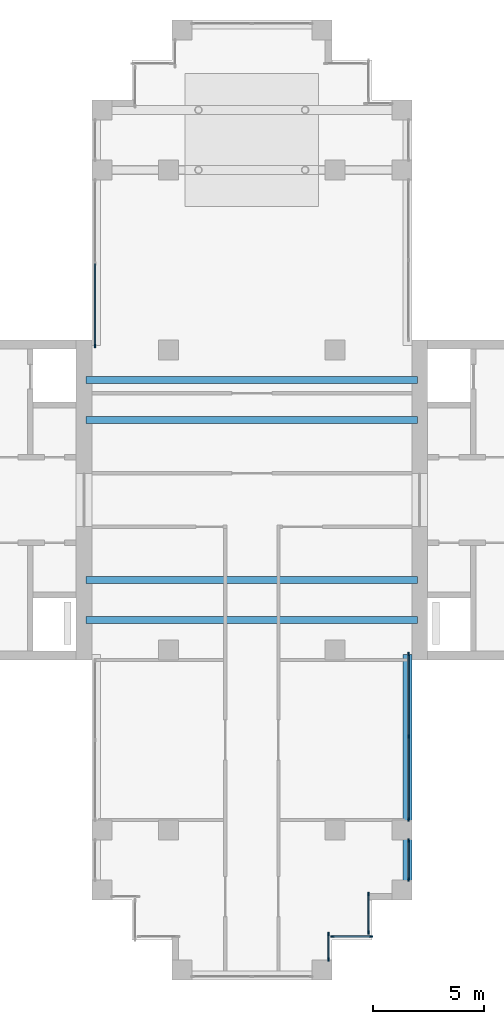
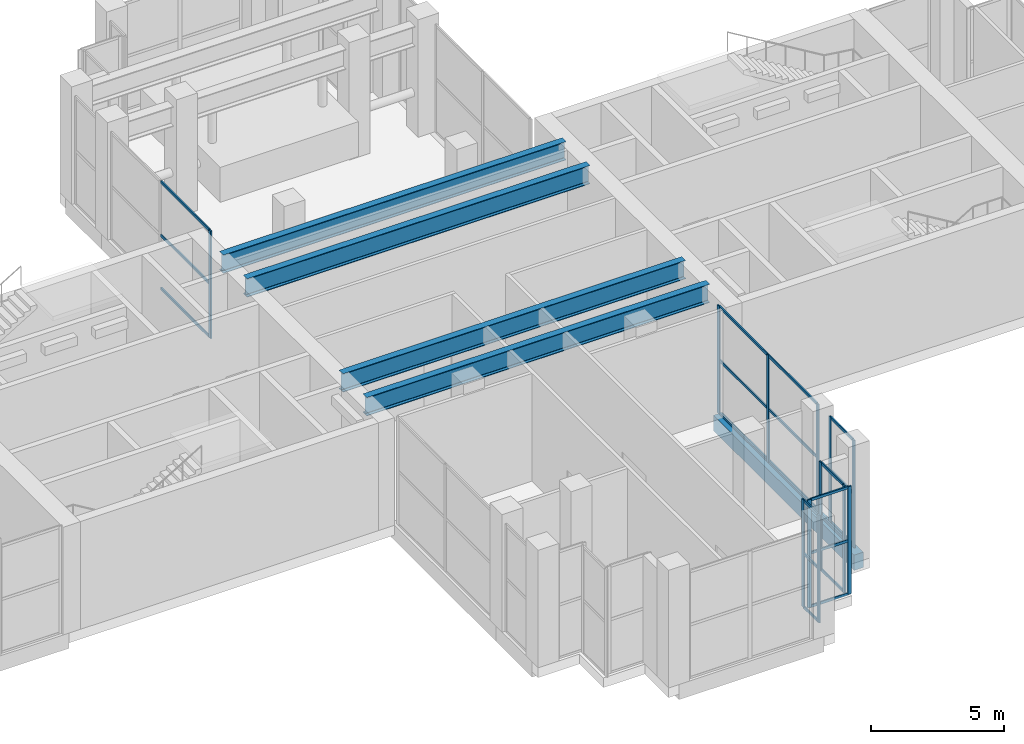
# One storey, part 4 of 13: 33 members, 6 beams, 6 elements without a shape of their own.
"""IFC4 building model written with IfcOpenShell, lengths in metres."""

from ifc_helpers import new_model, si_unit, direction, frame, origin, origin_2d, place, context, subcontext, project, spatial, rectangle, i_section, extrude, material, material_profile, profile_set, type_object, element, aggregate, save


model = new_model("IFC4")

# Units and contexts
model_context = context("Model", 3, precision=1e-05, world=origin(), true_north=direction((0.0, 1.0)))
body_context = subcontext(model_context, "Body", "Model", "MODEL_VIEW")
ifc_project = project(units=[si_unit("LENGTHUNIT", "METRE"), si_unit("AREAUNIT", "SQUARE_METRE"), si_unit("VOLUMEUNIT", "CUBIC_METRE"), si_unit("PLANEANGLEUNIT", "RADIAN"), si_unit("MASSUNIT", "GRAM", prefix="KILO")], contexts=[model_context])

# Site, building, storey
site_placement = place(None, origin())
site = spatial("IfcSite", under=ifc_project, at=site_placement, CompositionType="ELEMENT")
building_placement = place(site_placement, origin())
building = spatial("IfcBuilding", under=site, at=building_placement, Name="Fustian Cross Tower", CompositionType="ELEMENT")
storey_placement = place(building_placement, frame((0.0, 0.0, 242.10009765625)))
storey = spatial("IfcBuildingStorey", under=building, at=storey_placement, Name="L76", CompositionType="ELEMENT", Elevation=242.10009765625)

# Curtain wall, member
ifc_material_1 = material(Name="Glass", Category="glass")
curtain_wall_type = type_object("IfcCurtainWallType", Name="CW5 CURTAIN WALL", PredefinedType="NOTDEFINED", material=ifc_material_1)
curtain_wall_1_placement = place(storey_placement, origin())
curtain_wall_1 = element("IfcCurtainWall", 1, at=curtain_wall_1_placement, inside=storey, type_object=curtain_wall_type, Name="Curtain wall CW5", PredefinedType="NOTDEFINED")
ifc_material_2 = material(Name="Aluminium alloy 6063", Category="aluminium")
ifc_material_profile_1 = material_profile(ifc_material_2, rectangle(XDim=0.06005859375, YDim=0.159912109375, at=origin_2d()), Name="CW5 MULLION 60x160")
ifc_profile_set_1 = profile_set([ifc_material_profile_1], Name="Aluminium alloy 6063")
member_type_1 = type_object("IfcMemberType", Name="CW5 MULLION 60x160", PredefinedType="MULLION", material=ifc_profile_set_1)
member_1_placement = place(storey_placement, frame((-7.050048828125, 6.929931640625, 0.0), z_axis=(0.0, 0.0, 1.0), x_axis=(1.0, 0.0, 0.0)))
member_1 = element("IfcMember", 2, at=member_1_placement, type_object=member_type_1, Name="CW5 mullion 3", PredefinedType="MULLION", context=body_context, shape_type="SweptSolid", body=[
    extrude(rectangle(XDim=0.06005859375, YDim=0.159912109375, at=origin_2d()), origin(), (0.0, 0.0, 1.0), 4.949951171875),
])

# Curtain wall, members
curtain_wall_2_placement = place(storey_placement, origin())
curtain_wall_2 = element("IfcCurtainWall", 3, at=curtain_wall_2_placement, inside=storey, type_object=curtain_wall_type, Name="Curtain wall CW5", PredefinedType="NOTDEFINED")
member_2_placement = place(storey_placement, frame((3.449951171875, -20.669921875, 0.0), z_axis=(0.0, 0.0, 1.0), x_axis=(-1.0, 0.0, 0.0)))
member_2 = element("IfcMember", 4, at=member_2_placement, type_object=member_type_1, Name="CW5 mullion 1", PredefinedType="MULLION", context=body_context, shape_type="SweptSolid", body=[
    extrude(rectangle(XDim=0.06005859375, YDim=0.159912109375, at=origin_2d()), origin(), (0.0, 0.0, 1.0), 4.949951171875),
])
member_3_placement = place(storey_placement, frame((3.449951171875, -19.530029296875, 0.0), z_axis=(0.0, 0.0, 1.0), x_axis=(-1.0, 0.0, 0.0)))
member_3 = element("IfcMember", 5, at=member_3_placement, type_object=member_type_1, Name="CW5 mullion 2", PredefinedType="MULLION", context=body_context, shape_type="SweptSolid", body=[
    extrude(rectangle(XDim=0.06005859375, YDim=0.159912109375, at=origin_2d()), origin(), (0.0, 0.0, 1.0), 4.949951171875),
])

curtain_wall_3_placement = place(storey_placement, origin())
curtain_wall_3 = element("IfcCurtainWall", 6, at=curtain_wall_3_placement, inside=storey, type_object=curtain_wall_type, Name="Curtain wall CW5", PredefinedType="NOTDEFINED")
member_4_placement = place(storey_placement, frame((3.6298828125, -19.64990234375, 0.0), z_axis=(0.0, 0.0, 1.0), x_axis=(0.0, 1.0, 0.0)))
member_4 = element("IfcMember", 7, at=member_4_placement, type_object=member_type_1, Name="CW5 mullion 1", PredefinedType="MULLION", context=body_context, shape_type="SweptSolid", body=[
    extrude(rectangle(XDim=0.06005859375, YDim=0.159912109375, at=origin_2d()), origin(), (0.0, 0.0, 1.0), 4.949951171875),
])
member_5_placement = place(storey_placement, frame((5.3701171875, -19.64990234375, 0.0), z_axis=(0.0, 0.0, 1.0), x_axis=(0.0, 1.0, 0.0)))
member_5 = element("IfcMember", 8, at=member_5_placement, type_object=member_type_1, Name="CW5 mullion 2", PredefinedType="MULLION", context=body_context, shape_type="SweptSolid", body=[
    extrude(rectangle(XDim=0.06005859375, YDim=0.159912109375, at=origin_2d()), origin(), (0.0, 0.0, 1.0), 4.949951171875),
])

curtain_wall_4_placement = place(storey_placement, origin())
curtain_wall_4 = element("IfcCurtainWall", 9, at=curtain_wall_4_placement, inside=storey, type_object=curtain_wall_type, Name="Curtain wall CW5", PredefinedType="NOTDEFINED")
member_6_placement = place(storey_placement, frame((5.25, -19.469970703125, 0.0), z_axis=(0.0, 0.0, 1.0), x_axis=(-1.0, 0.0, 0.0)))
member_6 = element("IfcMember", 10, at=member_6_placement, type_object=member_type_1, Name="CW5 mullion 1", PredefinedType="MULLION", context=body_context, shape_type="SweptSolid", body=[
    extrude(rectangle(XDim=0.06005859375, YDim=0.159912109375, at=origin_2d()), origin(), (0.0, 0.0, 1.0), 4.949951171875),
])
member_7_placement = place(storey_placement, frame((5.25, -17.72998046875, 0.0), z_axis=(0.0, 0.0, 1.0), x_axis=(-1.0, 0.0, 0.0)))
member_7 = element("IfcMember", 11, at=member_7_placement, type_object=member_type_1, Name="CW5 mullion 2", PredefinedType="MULLION", context=body_context, shape_type="SweptSolid", body=[
    extrude(rectangle(XDim=0.06005859375, YDim=0.159912109375, at=origin_2d()), origin(), (0.0, 0.0, 1.0), 4.949951171875),
])

curtain_wall_5_placement = place(storey_placement, origin())
curtain_wall_5 = element("IfcCurtainWall", 12, at=curtain_wall_5_placement, inside=storey, type_object=curtain_wall_type, Name="Curtain wall CW5", PredefinedType="NOTDEFINED")
member_8_placement = place(storey_placement, frame((7.050048828125, -17.070068359375, 0.0), z_axis=(0.0, 0.0, 1.0), x_axis=(-1.0, 0.0, 0.0)))
member_8 = element("IfcMember", 13, at=member_8_placement, type_object=member_type_1, Name="CW5 mullion 1", PredefinedType="MULLION", context=body_context, shape_type="SweptSolid", body=[
    extrude(rectangle(XDim=0.06005859375, YDim=0.159912109375, at=origin_2d()), origin(), (0.0, 0.0, 1.0), 4.949951171875),
])
member_9_placement = place(storey_placement, frame((7.050048828125, -15.330078125, 0.0), z_axis=(0.0, 0.0, 1.0), x_axis=(-1.0, 0.0, 0.0)))
member_9 = element("IfcMember", 14, at=member_9_placement, type_object=member_type_1, Name="CW5 mullion 2", PredefinedType="MULLION", context=body_context, shape_type="SweptSolid", body=[
    extrude(rectangle(XDim=0.06005859375, YDim=0.159912109375, at=origin_2d()), origin(), (0.0, 0.0, 1.0), 4.949951171875),
])

curtain_wall_6_placement = place(storey_placement, origin())
curtain_wall_6 = element("IfcCurtainWall", 15, at=curtain_wall_6_placement, inside=storey, type_object=curtain_wall_type, Name="Curtain wall CW5", PredefinedType="NOTDEFINED")
member_10_placement = place(storey_placement, frame((7.050048828125, -14.3701171875, 0.0), z_axis=(0.0, 0.0, 1.0), x_axis=(-1.0, 0.0, 0.0)))
member_10 = element("IfcMember", 16, at=member_10_placement, type_object=member_type_1, Name="CW5 mullion 1", PredefinedType="MULLION", context=body_context, shape_type="SweptSolid", body=[
    extrude(rectangle(XDim=0.06005859375, YDim=0.159912109375, at=origin_2d()), origin(), (0.0, 0.0, 1.0), 4.949951171875),
])
member_11_placement = place(storey_placement, frame((7.050048828125, -10.64990234375, 0.0), z_axis=(0.0, 0.0, 1.0), x_axis=(-1.0, 0.0, 0.0)))
member_11 = element("IfcMember", 17, at=member_11_placement, type_object=member_type_1, Name="CW5 mullion 2", PredefinedType="MULLION", context=body_context, shape_type="SweptSolid", body=[
    extrude(rectangle(XDim=0.06005859375, YDim=0.159912109375, at=origin_2d()), origin(), (0.0, 0.0, 1.0), 4.949951171875),
])
member_12_placement = place(storey_placement, frame((7.050048828125, -6.929931640625, 0.0), z_axis=(0.0, 0.0, 1.0), x_axis=(-1.0, 0.0, 0.0)))
member_12 = element("IfcMember", 18, at=member_12_placement, type_object=member_type_1, Name="CW5 mullion 3", PredefinedType="MULLION", context=body_context, shape_type="SweptSolid", body=[
    extrude(rectangle(XDim=0.06005859375, YDim=0.159912109375, at=origin_2d()), origin(), (0.0, 0.0, 1.0), 4.949951171875),
])

# Member
ifc_material_3 = material(Name="Aluminium alloy 6063", Category="aluminium")
ifc_material_profile_2 = material_profile(ifc_material_3, rectangle(XDim=0.06005859375, YDim=0.1201171875, at=origin_2d()), Name="CW5 TRANSOM 60x120")
ifc_profile_set_2 = profile_set([ifc_material_profile_2], Name="Aluminium alloy 6063")
member_type_2 = type_object("IfcMemberType", Name="CW5 TRANSOM 60x120", PredefinedType="USERDEFINED", material=ifc_profile_set_2)
member_13_placement = place(storey_placement, frame((-7.050048828125, 10.6201171875, 0.02978515625), z_axis=(0.0, -1.0, 0.0), x_axis=(1.0, 0.0, 0.0)))
member_13 = element("IfcMember", 19, at=member_13_placement, type_object=member_type_2, Name="CW5 transom 2.1", ObjectType="TRANSOM", PredefinedType="USERDEFINED", context=body_context, shape_type="SweptSolid", body=[
    extrude(rectangle(XDim=0.06005859375, YDim=0.1201171875, at=origin_2d()), origin(), (0.0, 0.0, 1.0), 3.66015625),
])

member_14_placement = place(storey_placement, frame((-7.050048828125, 10.6201171875, 2.474853515625), z_axis=(0.0, -1.0, 0.0), x_axis=(1.0, 0.0, 0.0)))
member_14 = element("IfcMember", 20, at=member_14_placement, type_object=member_type_2, Name="CW5 transom 2.2", ObjectType="TRANSOM", PredefinedType="USERDEFINED", context=body_context, shape_type="SweptSolid", body=[
    extrude(rectangle(XDim=0.06005859375, YDim=0.1201171875, at=origin_2d()), origin(), (0.0, 0.0, 1.0), 3.66015625),
])

member_15_placement = place(storey_placement, frame((-7.050048828125, 10.6201171875, 4.919921875), z_axis=(0.0, -1.0, 0.0), x_axis=(1.0, 0.0, 0.0)))
member_15 = element("IfcMember", 21, at=member_15_placement, type_object=member_type_2, Name="CW5 transom 2.3", ObjectType="TRANSOM", PredefinedType="USERDEFINED", context=body_context, shape_type="SweptSolid", body=[
    extrude(rectangle(XDim=0.06005859375, YDim=0.1201171875, at=origin_2d()), origin(), (0.0, 0.0, 1.0), 3.66015625),
])

aggregate(curtain_wall_1, [member_1, member_13, member_14, member_15])

member_16_placement = place(storey_placement, frame((3.449951171875, -20.639892578125, 0.02978515625), z_axis=(0.0, 1.0, 0.0), x_axis=(-1.0, 0.0, 0.0)))
member_16 = element("IfcMember", 22, at=member_16_placement, type_object=member_type_2, Name="CW5 transom 1.1", ObjectType="TRANSOM", PredefinedType="USERDEFINED", context=body_context, shape_type="SweptSolid", body=[
    extrude(rectangle(XDim=0.06005859375, YDim=0.1201171875, at=origin_2d()), origin(), (0.0, 0.0, 1.0), 1.079833984375),
])

member_17_placement = place(storey_placement, frame((3.449951171875, -20.639892578125, 2.474853515625), z_axis=(0.0, 1.0, 0.0), x_axis=(-1.0, 0.0, 0.0)))
member_17 = element("IfcMember", 23, at=member_17_placement, type_object=member_type_2, Name="CW5 transom 1.2", ObjectType="TRANSOM", PredefinedType="USERDEFINED", context=body_context, shape_type="SweptSolid", body=[
    extrude(rectangle(XDim=0.06005859375, YDim=0.1201171875, at=origin_2d()), origin(), (0.0, 0.0, 1.0), 1.079833984375),
])

member_18_placement = place(storey_placement, frame((3.449951171875, -20.639892578125, 4.919921875), z_axis=(0.0, 1.0, 0.0), x_axis=(-1.0, 0.0, 0.0)))
member_18 = element("IfcMember", 24, at=member_18_placement, type_object=member_type_2, Name="CW5 transom 1.3", ObjectType="TRANSOM", PredefinedType="USERDEFINED", context=body_context, shape_type="SweptSolid", body=[
    extrude(rectangle(XDim=0.06005859375, YDim=0.1201171875, at=origin_2d()), origin(), (0.0, 0.0, 1.0), 1.079833984375),
])

aggregate(curtain_wall_2, [member_2, member_3, member_16, member_17, member_18])

member_19_placement = place(storey_placement, frame((3.659912109375, -19.64990234375, 0.02978515625), z_axis=(1.0, 0.0, 0.0), x_axis=(0.0, 1.0, 0.0)))
member_19 = element("IfcMember", 25, at=member_19_placement, type_object=member_type_2, Name="CW5 transom 1.1", ObjectType="TRANSOM", PredefinedType="USERDEFINED", context=body_context, shape_type="SweptSolid", body=[
    extrude(rectangle(XDim=0.06005859375, YDim=0.1201171875, at=origin_2d()), origin(), (0.0, 0.0, 1.0), 1.68017578125),
])

member_20_placement = place(storey_placement, frame((3.659912109375, -19.64990234375, 2.474853515625), z_axis=(1.0, 0.0, 0.0), x_axis=(0.0, 1.0, 0.0)))
member_20 = element("IfcMember", 26, at=member_20_placement, type_object=member_type_2, Name="CW5 transom 1.2", ObjectType="TRANSOM", PredefinedType="USERDEFINED", context=body_context, shape_type="SweptSolid", body=[
    extrude(rectangle(XDim=0.06005859375, YDim=0.1201171875, at=origin_2d()), origin(), (0.0, 0.0, 1.0), 1.68017578125),
])

member_21_placement = place(storey_placement, frame((3.659912109375, -19.64990234375, 4.919921875), z_axis=(1.0, 0.0, 0.0), x_axis=(0.0, 1.0, 0.0)))
member_21 = element("IfcMember", 27, at=member_21_placement, type_object=member_type_2, Name="CW5 transom 1.3", ObjectType="TRANSOM", PredefinedType="USERDEFINED", context=body_context, shape_type="SweptSolid", body=[
    extrude(rectangle(XDim=0.06005859375, YDim=0.1201171875, at=origin_2d()), origin(), (0.0, 0.0, 1.0), 1.68017578125),
])

aggregate(curtain_wall_3, [member_4, member_5, member_19, member_20, member_21])

member_22_placement = place(storey_placement, frame((5.25, -19.43994140625, 0.02978515625), z_axis=(0.0, 1.0, 0.0), x_axis=(-1.0, 0.0, 0.0)))
member_22 = element("IfcMember", 28, at=member_22_placement, type_object=member_type_2, Name="CW5 transom 1.1", ObjectType="TRANSOM", PredefinedType="USERDEFINED", context=body_context, shape_type="SweptSolid", body=[
    extrude(rectangle(XDim=0.06005859375, YDim=0.1201171875, at=origin_2d()), origin(), (0.0, 0.0, 1.0), 1.679931640625),
])

member_23_placement = place(storey_placement, frame((5.25, -19.43994140625, 2.474853515625), z_axis=(0.0, 1.0, 0.0), x_axis=(-1.0, 0.0, 0.0)))
member_23 = element("IfcMember", 29, at=member_23_placement, type_object=member_type_2, Name="CW5 transom 1.2", ObjectType="TRANSOM", PredefinedType="USERDEFINED", context=body_context, shape_type="SweptSolid", body=[
    extrude(rectangle(XDim=0.06005859375, YDim=0.1201171875, at=origin_2d()), origin(), (0.0, 0.0, 1.0), 1.679931640625),
])

member_24_placement = place(storey_placement, frame((5.25, -19.43994140625, 4.919921875), z_axis=(0.0, 1.0, 0.0), x_axis=(-1.0, 0.0, 0.0)))
member_24 = element("IfcMember", 30, at=member_24_placement, type_object=member_type_2, Name="CW5 transom 1.3", ObjectType="TRANSOM", PredefinedType="USERDEFINED", context=body_context, shape_type="SweptSolid", body=[
    extrude(rectangle(XDim=0.06005859375, YDim=0.1201171875, at=origin_2d()), origin(), (0.0, 0.0, 1.0), 1.679931640625),
])

aggregate(curtain_wall_4, [member_6, member_7, member_22, member_23, member_24])

member_25_placement = place(storey_placement, frame((7.050048828125, -17.0400390625, 0.02978515625), z_axis=(0.0, 1.0, 0.0), x_axis=(-1.0, 0.0, 0.0)))
member_25 = element("IfcMember", 31, at=member_25_placement, type_object=member_type_2, Name="CW5 transom 1.1", ObjectType="TRANSOM", PredefinedType="USERDEFINED", context=body_context, shape_type="SweptSolid", body=[
    extrude(rectangle(XDim=0.06005859375, YDim=0.1201171875, at=origin_2d()), origin(), (0.0, 0.0, 1.0), 1.679931640625),
])

member_26_placement = place(storey_placement, frame((7.050048828125, -17.0400390625, 2.474853515625), z_axis=(0.0, 1.0, 0.0), x_axis=(-1.0, 0.0, 0.0)))
member_26 = element("IfcMember", 32, at=member_26_placement, type_object=member_type_2, Name="CW5 transom 1.2", ObjectType="TRANSOM", PredefinedType="USERDEFINED", context=body_context, shape_type="SweptSolid", body=[
    extrude(rectangle(XDim=0.06005859375, YDim=0.1201171875, at=origin_2d()), origin(), (0.0, 0.0, 1.0), 1.679931640625),
])

member_27_placement = place(storey_placement, frame((7.050048828125, -17.0400390625, 4.919921875), z_axis=(0.0, 1.0, 0.0), x_axis=(-1.0, 0.0, 0.0)))
member_27 = element("IfcMember", 33, at=member_27_placement, type_object=member_type_2, Name="CW5 transom 1.3", ObjectType="TRANSOM", PredefinedType="USERDEFINED", context=body_context, shape_type="SweptSolid", body=[
    extrude(rectangle(XDim=0.06005859375, YDim=0.1201171875, at=origin_2d()), origin(), (0.0, 0.0, 1.0), 1.679931640625),
])

aggregate(curtain_wall_5, [member_8, member_9, member_25, member_26, member_27])

member_28_placement = place(storey_placement, frame((7.050048828125, -14.340087890625, 0.02978515625), z_axis=(0.0, 1.0, 0.0), x_axis=(-1.0, 0.0, 0.0)))
member_28 = element("IfcMember", 34, at=member_28_placement, type_object=member_type_2, Name="CW5 transom 1.1", ObjectType="TRANSOM", PredefinedType="USERDEFINED", context=body_context, shape_type="SweptSolid", body=[
    extrude(rectangle(XDim=0.06005859375, YDim=0.1201171875, at=origin_2d()), origin(), (0.0, 0.0, 1.0), 3.66015625),
])

member_29_placement = place(storey_placement, frame((7.050048828125, -14.340087890625, 2.474853515625), z_axis=(0.0, 1.0, 0.0), x_axis=(-1.0, 0.0, 0.0)))
member_29 = element("IfcMember", 35, at=member_29_placement, type_object=member_type_2, Name="CW5 transom 1.2", ObjectType="TRANSOM", PredefinedType="USERDEFINED", context=body_context, shape_type="SweptSolid", body=[
    extrude(rectangle(XDim=0.06005859375, YDim=0.1201171875, at=origin_2d()), origin(), (0.0, 0.0, 1.0), 3.66015625),
])

member_30_placement = place(storey_placement, frame((7.050048828125, -14.340087890625, 4.919921875), z_axis=(0.0, 1.0, 0.0), x_axis=(-1.0, 0.0, 0.0)))
member_30 = element("IfcMember", 36, at=member_30_placement, type_object=member_type_2, Name="CW5 transom 1.3", ObjectType="TRANSOM", PredefinedType="USERDEFINED", context=body_context, shape_type="SweptSolid", body=[
    extrude(rectangle(XDim=0.06005859375, YDim=0.1201171875, at=origin_2d()), origin(), (0.0, 0.0, 1.0), 3.66015625),
])

member_31_placement = place(storey_placement, frame((7.050048828125, -10.6201171875, 0.02978515625), z_axis=(0.0, 1.0, 0.0), x_axis=(-1.0, 0.0, 0.0)))
member_31 = element("IfcMember", 37, at=member_31_placement, type_object=member_type_2, Name="CW5 transom 2.1", ObjectType="TRANSOM", PredefinedType="USERDEFINED", context=body_context, shape_type="SweptSolid", body=[
    extrude(rectangle(XDim=0.06005859375, YDim=0.1201171875, at=origin_2d()), origin(), (0.0, 0.0, 1.0), 3.66015625),
])

member_32_placement = place(storey_placement, frame((7.050048828125, -10.6201171875, 2.474853515625), z_axis=(0.0, 1.0, 0.0), x_axis=(-1.0, 0.0, 0.0)))
member_32 = element("IfcMember", 38, at=member_32_placement, type_object=member_type_2, Name="CW5 transom 2.2", ObjectType="TRANSOM", PredefinedType="USERDEFINED", context=body_context, shape_type="SweptSolid", body=[
    extrude(rectangle(XDim=0.06005859375, YDim=0.1201171875, at=origin_2d()), origin(), (0.0, 0.0, 1.0), 3.66015625),
])

member_33_placement = place(storey_placement, frame((7.050048828125, -10.6201171875, 4.919921875), z_axis=(0.0, 1.0, 0.0), x_axis=(-1.0, 0.0, 0.0)))
member_33 = element("IfcMember", 39, at=member_33_placement, type_object=member_type_2, Name="CW5 transom 2.3", ObjectType="TRANSOM", PredefinedType="USERDEFINED", context=body_context, shape_type="SweptSolid", body=[
    extrude(rectangle(XDim=0.06005859375, YDim=0.1201171875, at=origin_2d()), origin(), (0.0, 0.0, 1.0), 3.66015625),
])

aggregate(curtain_wall_6, [member_10, member_11, member_12, member_28, member_29, member_30, member_31, member_32, member_33])

# Beams
ifc_material_4 = material(Name="Steel S355", Category="steel")
ifc_material_profile_3 = material_profile(ifc_material_4, i_section(OverallWidth=0.293701171875, OverallDepth=0.850830078125, WebThickness=0.01611328125, FlangeThickness=0.02685546875, FilletRadius=0.017822265625, at=origin_2d()), Name="UB 838x292x226")
ifc_profile_set_3 = profile_set([ifc_material_profile_3], Name="Steel S355")
beam_type_1 = type_object("IfcBeamType", Name="DAMPER GIRDER UB 838x292x226 S355", PredefinedType="BEAM", material=ifc_profile_set_3)
for number, where, z_axis, x_axis, name in (
    (40, (-7.449951171875, -5.39990234375, 4.5244140625), (1.0, 0.0, 0.0), (0.0, 1.0, 0.0), "DAMPER GIRDER 1"),
    (41, (-7.449951171875, -3.60009765625, 4.5244140625), (1.0, 0.0, 0.0), (0.0, 1.0, 0.0), "DAMPER GIRDER 2"),
    (42, (-7.449951171875, 3.60009765625, 4.5244140625), (1.0, 0.0, 0.0), (0.0, 1.0, 0.0), "DAMPER GIRDER 3"),
    (43, (-7.449951171875, 5.39990234375, 4.5244140625), (1.0, 0.0, 0.0), (0.0, 1.0, 0.0), "DAMPER GIRDER 4"),
):
    element("IfcBeam", number, at=place(storey_placement, frame(where, z_axis=z_axis, x_axis=x_axis)), inside=storey, type_object=beam_type_1, Name=name, PredefinedType="BEAM", context=body_context, shape_type="SweptSolid", body=[
        extrude(i_section(OverallWidth=0.293701171875, OverallDepth=0.850830078125, WebThickness=0.01611328125, FlangeThickness=0.02685546875, FilletRadius=0.017822265625, at=origin_2d()), origin(), (0.0, 0.0, 1.0), 14.89990234375),
    ])
ifc_material_5 = material(Name="Concrete C50/60", Category="concrete")
ifc_material_profile_4 = material_profile(ifc_material_5, rectangle(XDim=0.39990234375, YDim=0.699951171875, at=origin_2d()), Name="RC 400x700")
ifc_profile_set_4 = profile_set([ifc_material_profile_4], Name="Concrete C50/60")
beam_type_2 = type_object("IfcBeamType", Name="EDGE BEAM RC 400x700 C50/60", PredefinedType="SPANDREL", material=ifc_profile_set_4)
beam_1_placement = place(storey_placement, frame((7.0, -17.550048828125, -0.35009765625), z_axis=(0.0, 1.0, 0.0), x_axis=(-1.0, 0.0, 0.0)))
element("IfcBeam", 44, at=beam_1_placement, inside=storey, type_object=beam_type_2, Name="EDGE BEAM L76-15", PredefinedType="SPANDREL", context=body_context, shape_type="SweptSolid", body=[
    extrude(rectangle(XDim=0.39990234375, YDim=0.699951171875, at=origin_2d()), origin(), (0.0, 0.0, 1.0), 2.699951171875),
])
beam_2_placement = place(storey_placement, frame((7.0, -14.85009765625, -0.35009765625), z_axis=(0.0, 1.0, 0.0), x_axis=(-1.0, 0.0, 0.0)))
element("IfcBeam", 45, at=beam_2_placement, inside=storey, type_object=beam_type_2, Name="EDGE BEAM L76-16", PredefinedType="SPANDREL", context=body_context, shape_type="SweptSolid", body=[
    extrude(rectangle(XDim=0.39990234375, YDim=0.699951171875, at=origin_2d()), origin(), (0.0, 0.0, 1.0), 7.900146484375),
])

save(model, "model.ifc")
